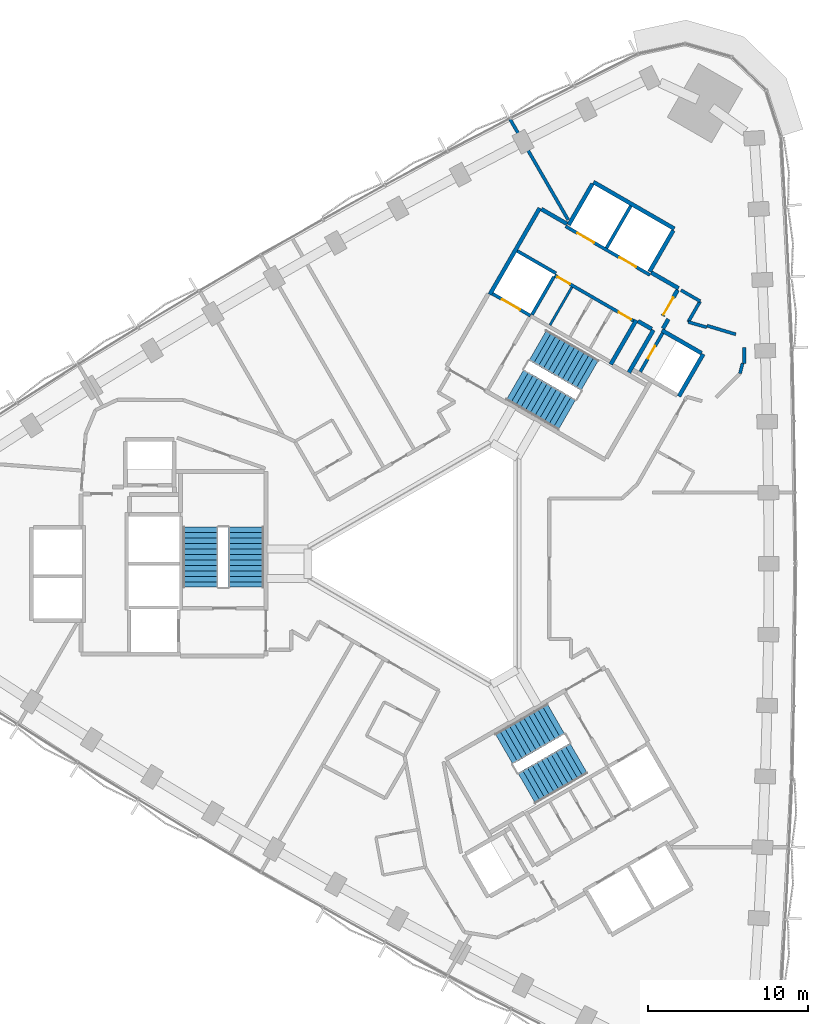
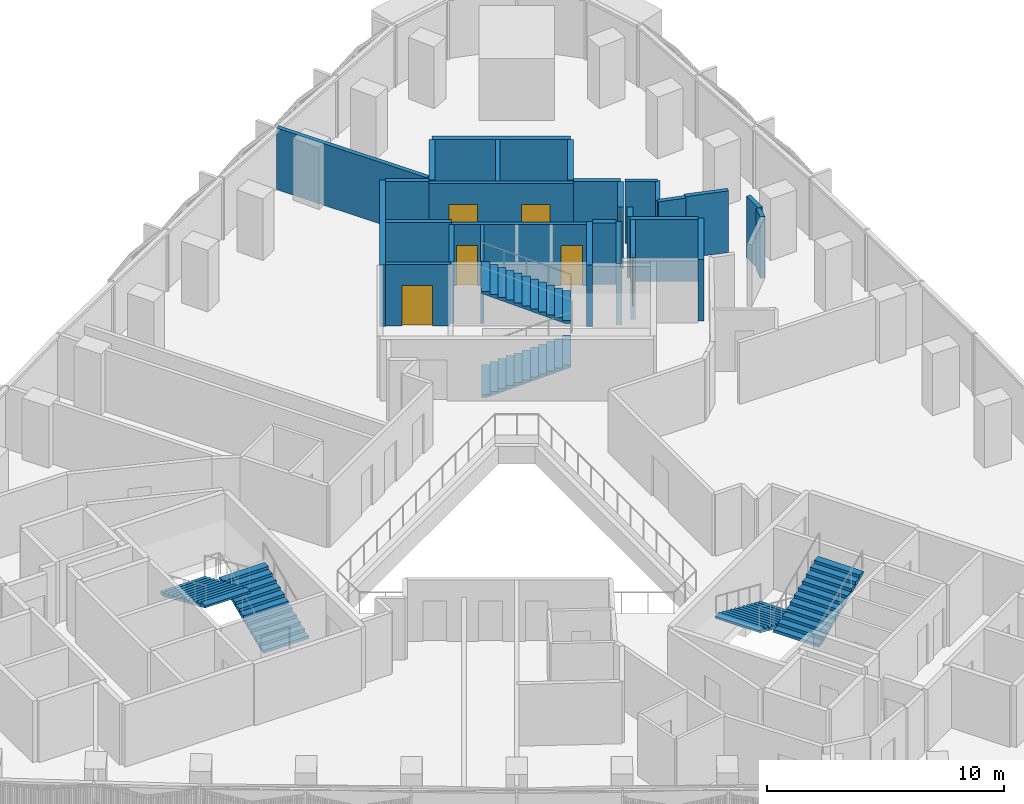
# One storey, part 11 of 15: 28 walls, 7 doors, 6 stair flights, 7 openings, 3 elements without a shape of their own.
"""IFC4 building model written with IfcOpenShell, lengths in metres."""

import ifcopenshell
import ifcopenshell.guid

model = None  # the IFC model being written
_history = None  # IfcOwnerHistory: only IFC2X3 demands one
_inside = {}  # id of a spatial element -> (the spatial element, [elements in it])
_under = {}  # id of a project, library or spatial element -> (it, [spatial elements below it])
_declared = {}  # id of a project -> (the project, [libraries it declares])
_typed = {}  # id of a type object -> (the type object, [elements of that type])
_made_of = {}  # id of a material, layer set ... -> (it, [elements and type objects made of it])


def new_model(schema):
    """Start an empty IFC model of exactly this schema.

    Asked for "IFC4X3", IfcOpenShell would pick the latest addendum, in which some entities
    have other attributes; the version numbers below select the first issue.
    IFC2X3 requires an IfcOwnerHistory on every rooted entity: one is made here for all.
    """
    global model, _history
    if schema == "IFC4X3":
        model = ifcopenshell.file(schema_version=(4, 3, 0, 0))
    else:
        model = ifcopenshell.file(schema=schema)
    _inside.clear()
    _under.clear()
    _declared.clear()
    _typed.clear()
    _made_of.clear()
    _history = None
    if model.schema == "IFC2X3":
        org = make("IfcOrganization", Name="unknown")
        user = make(
            "IfcPersonAndOrganization",
            ThePerson=make("IfcPerson", FamilyName="unknown"),
            TheOrganization=org,
        )
        app = make(
            "IfcApplication",
            ApplicationDeveloper=org,
            Version="unknown",
            ApplicationFullName="unknown",
            ApplicationIdentifier="unknown",
        )
        _history = make(
            "IfcOwnerHistory",
            OwningUser=user,
            OwningApplication=app,
            ChangeAction="ADDED",
            CreationDate=0,
        )
    return model


def make(cls, **values):
    """One entity of the class cls with the attributes given. An attribute that is None is left unset."""
    return model.create_entity(
        cls, **{name: value for name, value in values.items() if value is not None}
    )


def rooted(cls, **values):
    """An entity with a GlobalId (a new one), such as an element, a storey or a relation."""
    return make(cls, GlobalId=ifcopenshell.guid.new(), OwnerHistory=_history, **values)


def si_unit(unit_type, name, prefix=None):
    """IfcSIUnit, for example si_unit("LENGTHUNIT", "METRE", prefix="MILLI")."""
    return make("IfcSIUnit", UnitType=unit_type, Prefix=prefix, Name=name)


def assignment(units):
    """IfcUnitAssignment: the units of a project."""
    return None if units is None else make("IfcUnitAssignment", Units=units)


def point(xyz):
    """IfcCartesianPoint."""
    return None if xyz is None else make("IfcCartesianPoint", Coordinates=xyz)


def direction(xyz):
    """IfcDirection."""
    return None if xyz is None else make("IfcDirection", DirectionRatios=xyz)


def frame(location, z_axis=None, x_axis=None):
    """IfcAxis2Placement3D, a coordinate frame: its origin and axes. An axis left out is left unset."""
    return make(
        "IfcAxis2Placement3D",
        Location=point(location),
        Axis=direction(z_axis),
        RefDirection=direction(x_axis),
    )


def frame_2d(location, x_axis=None):
    """IfcAxis2Placement2D, a coordinate frame in the plane: its origin and x axis."""
    return make(
        "IfcAxis2Placement2D", Location=point(location), RefDirection=direction(x_axis)
    )


def origin():
    """The frame at (0, 0, 0) with its axes left unset."""
    return frame((0.0, 0.0, 0.0))


def place(relative_to, where):
    """IfcLocalPlacement: puts the frame where relative to a parent placement (None: the world)."""
    return make(
        "IfcLocalPlacement", PlacementRelTo=relative_to, RelativePlacement=where
    )


def context(
    kind, dimensions, precision=None, world=None, true_north=None, identifier=None
):
    """IfcGeometricRepresentationContext, for example the 3D "Model" context."""
    return make(
        "IfcGeometricRepresentationContext",
        ContextIdentifier=identifier,
        ContextType=kind,
        CoordinateSpaceDimension=dimensions,
        Precision=precision,
        WorldCoordinateSystem=world,
        TrueNorth=true_north,
    )


def subcontext(parent, identifier, kind, view, scale=None):
    """IfcGeometricRepresentationSubContext, for example "Body" below "Model"."""
    return make(
        "IfcGeometricRepresentationSubContext",
        ContextIdentifier=identifier,
        ContextType=kind,
        ParentContext=parent,
        TargetScale=scale,
        TargetView=view,
    )


def project(units=None, contexts=None):
    """IfcProject with its units and contexts."""
    return rooted(
        "IfcProject",
        Name="project",
        RepresentationContexts=contexts,
        UnitsInContext=assignment(units),
    )


def spatial(cls, under=None, at=None, **own):
    """A site, building, storey or space (cls), placed at a placement, below another one or the project."""
    s = rooted(cls, ObjectPlacement=at, **own)
    if under is not None:
        _under.setdefault(under.id(), (under, []))[1].append(s)
    return s


def polyline(points):
    """IfcPolyline through the points."""
    return make("IfcPolyline", Points=[point(p) for p in points])


def profile(cls, at=None, kind="AREA", **sizes):
    """A parametric profile (cls). Its sizes go by their IFC names, for example OverallWidth=200.0."""
    return make(cls, ProfileType=kind, Position=at, **sizes)


def rectangle(**sizes):
    """IfcRectangleProfileDef."""
    return profile("IfcRectangleProfileDef", **sizes)


def outline(outer, holes=None, kind="AREA"):
    """IfcArbitraryClosedProfileDef: a profile drawn as a closed curve; with holes, ...WithVoids."""
    if holes is None:
        return make("IfcArbitraryClosedProfileDef", ProfileType=kind, OuterCurve=outer)
    return make(
        "IfcArbitraryProfileDefWithVoids",
        ProfileType=kind,
        OuterCurve=outer,
        InnerCurves=holes,
    )


def extrude(swept, where, along, depth):
    """IfcExtrudedAreaSolid: the profile swept, set in the frame where, extruded along a direction by depth."""
    return make(
        "IfcExtrudedAreaSolid",
        SweptArea=swept,
        Position=where,
        ExtrudedDirection=direction(along),
        Depth=depth,
    )


def shape(context_of_items, identifier, shape_type, items):
    """IfcShapeRepresentation: the items that make up one representation, for example the "Body"."""
    return make(
        "IfcShapeRepresentation",
        ContextOfItems=context_of_items,
        RepresentationIdentifier=identifier,
        RepresentationType=shape_type,
        Items=items,
    )


def material(Name=None, Category=None):
    """IfcMaterial."""
    return make("IfcMaterial", Name=Name, Category=Category)


def layer(
    of_material, thickness, ventilated=None, Name=None, Category=None, Priority=None
):
    """IfcMaterialLayer: one layer of a wall or slab, of a material (None: an air gap)."""
    return make(
        "IfcMaterialLayer",
        Material=of_material,
        LayerThickness=thickness,
        IsVentilated=ventilated,
        Name=Name,
        Category=Category,
        Priority=Priority,
    )


def layer_set(layers, Name=None):
    """IfcMaterialLayerSet."""
    return make("IfcMaterialLayerSet", MaterialLayers=layers, LayerSetName=Name)


def made_of(thing, what):
    """Note that an element or type object is made of a material, layer set ...; save() writes the relation."""
    if what is not None:
        _made_of.setdefault(what.id(), (what, []))[1].append(thing)
    return thing


def type_object(cls, material=None, **own):
    """A type object (cls), such as IfcWallType, which elements share."""
    return made_of(rooted(cls, **own), material)


def element(
    cls,
    number,
    at=None,
    inside=None,
    cuts=None,
    type_object=None,
    material=None,
    context=None,
    identifier="Body",
    shape_type=None,
    held_by="IfcProductDefinitionShape",
    body=None,
    shapes=None,
    **own,
):
    """One element of the class cls, such as IfcWall. Its Tag is "e" and its number.

    at: its placement. inside: the storey or other place that contains it. cuts: it is an
    opening in that element (IfcRelVoidsElement). A single representation is given by context,
    identifier, shape_type and body (its items); several are given by shapes. held_by: the class
    of the entity that holds the representations. save() writes the other relations.
    """
    e = rooted(cls, Tag="e%d" % number, ObjectPlacement=at, **own)
    if body is not None:
        shapes = [shape(context, identifier, shape_type, body)]
    if shapes is not None:
        e.Representation = make(held_by, Representations=shapes)
    if inside is not None:
        _inside.setdefault(inside.id(), (inside, []))[1].append(e)
    if cuts is not None:
        rooted(
            "IfcRelVoidsElement", RelatingBuildingElement=cuts, RelatedOpeningElement=e
        )
    if type_object is not None:
        _typed.setdefault(type_object.id(), (type_object, []))[1].append(e)
    return made_of(e, material)


def fill(opening, filler):
    """IfcRelFillsElement: the door or window that sits in an opening."""
    return rooted(
        "IfcRelFillsElement",
        RelatingOpeningElement=opening,
        RelatedBuildingElement=filler,
    )


def aggregate(whole, parts):
    """IfcRelAggregates: a whole, such as a stair, and the parts it consists of."""
    return rooted("IfcRelAggregates", RelatingObject=whole, RelatedObjects=parts)


def save(model, path):
    """Write the relations noted so far, then the file.

    IfcRelAggregates (storeys below a building ...), IfcRelContainedInSpatialStructure (elements
    in a storey), IfcRelDefinesByType, IfcRelAssociatesMaterial and IfcRelDeclares: one each for
    every whole, place, type object, material and project.
    """
    for whole, parts in _under.values():
        aggregate(whole, parts)
    for where, things in _inside.values():
        rooted(
            "IfcRelContainedInSpatialStructure",
            RelatedElements=things,
            RelatingStructure=where,
        )
    for kind, things in _typed.values():
        rooted("IfcRelDefinesByType", RelatedObjects=things, RelatingType=kind)
    for what, things in _made_of.values():
        rooted("IfcRelAssociatesMaterial", RelatedObjects=things, RelatingMaterial=what)
    for by, libraries in _declared.values():
        rooted("IfcRelDeclares", RelatingContext=by, RelatedDefinitions=libraries)
    model.write(path)


model = new_model("IFC4")

# Units and contexts
model_context = context("Model", 3, precision=1e-05, world=origin(), true_north=direction((0.0, 1.0)))
body_context = subcontext(model_context, "Body", "Model", "MODEL_VIEW")
ifc_project = project(units=[si_unit("LENGTHUNIT", "METRE"), si_unit("AREAUNIT", "SQUARE_METRE"), si_unit("VOLUMEUNIT", "CUBIC_METRE"), si_unit("PLANEANGLEUNIT", "RADIAN"), si_unit("MASSUNIT", "GRAM", prefix="KILO")], contexts=[model_context])

# Site, building, storey
site_placement = place(None, origin())
site = spatial("IfcSite", under=ifc_project, at=site_placement, CompositionType="ELEMENT")
building_placement = place(site_placement, origin())
building = spatial("IfcBuilding", under=site, at=building_placement, Name="Tamra Quay Hotel Tower", CompositionType="ELEMENT")
storey_placement = place(building_placement, frame((0.0, 0.0, 86.60009765625)))
storey = spatial("IfcBuildingStorey", under=building, at=storey_placement, Name="L20", CompositionType="ELEMENT", Elevation=86.60009765625)

# Wall, openings, doors
ifc_material_1 = material(Name="Concrete M70", Category="concrete")
ifc_layer_1 = layer(ifc_material_1, 0.199951171875)
ifc_layer_set_1 = layer_set([ifc_layer_1], Name="Concrete M70 core wall 200")
wall_type_1 = type_object("IfcWallType", Name="Concrete M70 core wall 200", PredefinedType="SHEAR", material=ifc_layer_set_1)
wall_1_placement = place(storey_placement, frame((13.209716796875, 18.07958984375, 0.0), z_axis=(0.0, 0.0, 1.0), x_axis=(-0.866030299012, 0.499991521122, 0.0)))
wall_1 = element("IfcWall", 1, at=wall_1_placement, inside=storey, type_object=wall_type_1, Name="CW2", PredefinedType="SHEAR", context=body_context, shape_type="SweptSolid", body=[
    extrude(rectangle(XDim=6.10009765625, YDim=0.199951171875, at=frame_2d((3.050048828125, 0.0))), origin(), (0.0, 0.0, 1.0), 3.1748046875),
])
opening_1_placement = place(wall_1_placement, frame((1.0, 0.0, 0.0)))
opening_1 = element("IfcOpeningElement", 2, at=opening_1_placement, cuts=wall_1, Name="Opening LD", PredefinedType="OPENING", context=body_context, shape_type="SweptSolid", body=[
    extrude(rectangle(XDim=1.199951171875, YDim=2.10009765625, at=frame_2d((0.60009765625, 1.050048828125))), frame((0.0, 0.10986328125, 0.0), z_axis=(0.0, -1.0, 0.0), x_axis=(1.0, 0.0, 0.0)), (0.0, 0.0, 1.0), 0.219970703125),
])
opening_2_placement = place(wall_1_placement, frame((4.05029296875, 0.0, 0.0)))
opening_2 = element("IfcOpeningElement", 3, at=opening_2_placement, cuts=wall_1, Name="Opening LD", PredefinedType="OPENING", context=body_context, shape_type="SweptSolid", body=[
    extrude(rectangle(XDim=1.199951171875, YDim=2.10009765625, at=frame_2d((0.60009765625, 1.050048828125))), frame((0.0, 0.10986328125, 0.0), z_axis=(0.0, -1.0, 0.0), x_axis=(1.0, 0.0, 0.0)), (0.0, 0.0, 1.0), 0.219970703125),
])
ifc_material_2 = material(Name="Landing door LD 1200 double door sliding")
door_type_1 = type_object("IfcDoorType", Name="Landing door LD 1200 double door sliding", OperationType="DOUBLE_DOOR_SLIDING", PredefinedType="DOOR", material=ifc_material_2)
door_1_placement = place(opening_1_placement, origin())
door_1 = element("IfcDoor", 4, at=door_1_placement, inside=storey, type_object=door_type_1, Name="LD", OperationType="DOUBLE_DOOR_SLIDING", OverallHeight=2.10009765625, OverallWidth=1.199951171875, PredefinedType="DOOR", context=body_context, shape_type="SweptSolid", body=[
    extrude(rectangle(XDim=1.199951171875, YDim=2.10009765625, at=frame_2d((0.60009765625, 1.050048828125))), frame((0.0, 0.02490234375, 0.0), z_axis=(0.0, -1.0, 0.0), x_axis=(1.0, 0.0, 0.0)), (0.0, 0.0, 1.0), 0.050048828125),
])
fill(opening_1, door_1)
door_2_placement = place(opening_2_placement, origin())
door_2 = element("IfcDoor", 5, at=door_2_placement, inside=storey, type_object=door_type_1, Name="LD", OperationType="DOUBLE_DOOR_SLIDING", OverallHeight=2.10009765625, OverallWidth=1.199951171875, PredefinedType="DOOR", context=body_context, shape_type="SweptSolid", body=[
    extrude(rectangle(XDim=1.199951171875, YDim=2.10009765625, at=frame_2d((0.60009765625, 1.050048828125))), frame((0.0, 0.02490234375, 0.0), z_axis=(0.0, -1.0, 0.0), x_axis=(1.0, 0.0, 0.0)), (0.0, 0.0, 1.0), 0.050048828125),
])
fill(opening_2, door_2)

wall_2_placement = place(storey_placement, frame((12.18505859375, 15.20703125, 0.0), z_axis=(0.0, 0.0, 1.0), x_axis=(-0.866020080793, 0.500009219579, 0.0)))
wall_2 = element("IfcWall", 6, at=wall_2_placement, inside=storey, type_object=wall_type_1, Name="CW2", PredefinedType="SHEAR", context=body_context, shape_type="SweptSolid", body=[
    extrude(rectangle(XDim=5.69921875, YDim=0.199951171875, at=frame_2d((2.849609375, 0.0))), origin(), (0.0, 0.0, 1.0), 3.1748046875),
])
opening_3_placement = place(wall_2_placement, frame((0.174072265625, 0.0, 0.0)))
opening_3 = element("IfcOpeningElement", 7, at=opening_3_placement, cuts=wall_2, Name="Opening D2", PredefinedType="OPENING", context=body_context, shape_type="SweptSolid", body=[
    extrude(rectangle(XDim=0.89990234375, YDim=2.10009765625, at=frame_2d((0.449951171875, 1.050048828125))), frame((0.0, 0.10986328125, 0.0), z_axis=(0.0, -1.0, 0.0), x_axis=(1.0, 0.0, 0.0)), (0.0, 0.0, 1.0), 0.219970703125),
])
opening_4_placement = place(wall_2_placement, frame((4.59912109375, 0.0, 0.0)))
opening_4 = element("IfcOpeningElement", 8, at=opening_4_placement, cuts=wall_2, Name="Opening D2", PredefinedType="OPENING", context=body_context, shape_type="SweptSolid", body=[
    extrude(rectangle(XDim=0.89990234375, YDim=2.10009765625, at=frame_2d((0.449951171875, 1.050048828125))), frame((0.0, 0.10986328125, 0.0), z_axis=(0.0, -1.0, 0.0), x_axis=(1.0, 0.0, 0.0)), (0.0, 0.0, 1.0), 0.219970703125),
])
ifc_material_3 = material(Name="Core door D2 900x2100 LH")
door_type_2 = type_object("IfcDoorType", Name="Core door D2 900x2100 LH", OperationType="NOTDEFINED", PredefinedType="DOOR", material=ifc_material_3)
door_3_placement = place(opening_4_placement, origin())
door_3 = element("IfcDoor", 9, at=door_3_placement, inside=storey, type_object=door_type_2, Name="D2", OperationType="SINGLE_SWING_LEFT", OverallHeight=2.10009765625, OverallWidth=0.89990234375, PredefinedType="DOOR", context=body_context, shape_type="SweptSolid", body=[
    extrude(rectangle(XDim=0.89990234375, YDim=2.10009765625, at=frame_2d((0.449951171875, 1.050048828125))), frame((0.0, 0.02490234375, 0.0), z_axis=(0.0, -1.0, 0.0), x_axis=(1.0, 0.0, 0.0)), (0.0, 0.0, 1.0), 0.050048828125),
])
fill(opening_4, door_3)
ifc_material_4 = material(Name="Core door D2 900x2100 RH")
door_type_3 = type_object("IfcDoorType", Name="Core door D2 900x2100 RH", OperationType="NOTDEFINED", PredefinedType="DOOR", material=ifc_material_4)
door_4_placement = place(opening_3_placement, origin())
door_4 = element("IfcDoor", 10, at=door_4_placement, inside=storey, type_object=door_type_3, Name="D2", OperationType="SINGLE_SWING_RIGHT", OverallHeight=2.10009765625, OverallWidth=0.89990234375, PredefinedType="DOOR", context=body_context, shape_type="SweptSolid", body=[
    extrude(rectangle(XDim=0.89990234375, YDim=2.10009765625, at=frame_2d((0.449951171875, 1.050048828125))), frame((0.0, 0.02490234375, 0.0), z_axis=(0.0, -1.0, 0.0), x_axis=(1.0, 0.0, 0.0)), (0.0, 0.0, 1.0), 0.050048828125),
])
fill(opening_3, door_4)

# Wall
wall_3_placement = place(storey_placement, frame((10.48876953125, 19.76708984375, 0.0), z_axis=(0.0, 0.0, 1.0), x_axis=(0.499946628782, 0.866056215479, 0.0)))
element("IfcWall", 11, at=wall_3_placement, inside=storey, type_object=wall_type_1, Name="CW2", PredefinedType="SHEAR", context=body_context, shape_type="SweptSolid", body=[
    extrude(rectangle(XDim=3.048095703125, YDim=0.199951171875, at=frame_2d((1.52392578125, 0.0))), origin(), (0.0, 0.0, 1.0), 3.1748046875),
])

# Wall, opening, door
wall_4_placement = place(storey_placement, frame((14.0078125, 14.442138671875, 0.0), z_axis=(0.0, 0.0, 1.0), x_axis=(-0.499986818241, -0.866033014143, 0.0)))
wall_4 = element("IfcWall", 12, at=wall_4_placement, inside=storey, type_object=wall_type_1, Name="CW2", PredefinedType="SHEAR", context=body_context, shape_type="SweptSolid", body=[
    extrude(rectangle(XDim=2.7978515625, YDim=0.199951171875, at=frame_2d((1.39892578125, 0.0))), origin(), (0.0, 0.0, 1.0), 3.1748046875),
])
opening_5_placement = place(wall_4_placement, frame((0.948974609375, 0.0, 0.0)))
opening_5 = element("IfcOpeningElement", 13, at=opening_5_placement, cuts=wall_4, Name="Opening D1", PredefinedType="OPENING", context=body_context, shape_type="SweptSolid", body=[
    extrude(rectangle(XDim=0.89990234375, YDim=2.10009765625, at=frame_2d((0.449951171875, 1.050048828125))), frame((0.0, 0.10986328125, 0.0), z_axis=(0.0, -1.0, 0.0), x_axis=(1.0, 0.0, 0.0)), (0.0, 0.0, 1.0), 0.219970703125),
])
ifc_material_5 = material(Name="Core door D1 900x2100 RH")
door_type_4 = type_object("IfcDoorType", Name="Core door D1 900x2100 RH", OperationType="NOTDEFINED", PredefinedType="DOOR", material=ifc_material_5)
door_5_placement = place(opening_5_placement, origin())
door_5 = element("IfcDoor", 14, at=door_5_placement, inside=storey, type_object=door_type_4, Name="D1", OperationType="SINGLE_SWING_RIGHT", OverallHeight=2.10009765625, OverallWidth=0.89990234375, PredefinedType="DOOR", context=body_context, shape_type="SweptSolid", body=[
    extrude(rectangle(XDim=0.89990234375, YDim=2.10009765625, at=frame_2d((0.449951171875, 1.050048828125))), frame((0.0, 0.02490234375, 0.0), z_axis=(0.0, -1.0, 0.0), x_axis=(1.0, 0.0, 0.0)), (0.0, 0.0, 1.0), 0.050048828125),
])
fill(opening_5, door_5)

# Wall
wall_5_placement = place(storey_placement, frame((7.199462890625, 17.969970703125, 0.0), z_axis=(0.0, 0.0, 1.0), x_axis=(-0.499968400327, -0.866043647095, 0.0)))
element("IfcWall", 15, at=wall_5_placement, inside=storey, type_object=wall_type_1, Name="CW2", PredefinedType="SHEAR", context=body_context, shape_type="SweptSolid", body=[
    extrude(rectangle(XDim=2.749755859375, YDim=0.199951171875, at=frame_2d((1.375, 0.0))), origin(), (0.0, 0.0, 1.0), 3.1748046875),
])

# Wall, opening, door
wall_6_placement = place(storey_placement, frame((5.72509765625, 15.530517578125, 0.0), z_axis=(0.0, 0.0, 1.0), x_axis=(-0.866037306777, 0.499979382845, 0.0)))
wall_6 = element("IfcWall", 16, at=wall_6_placement, inside=storey, type_object=wall_type_1, Name="CW2", PredefinedType="SHEAR", context=body_context, shape_type="SweptSolid", body=[
    extrude(rectangle(XDim=2.74169921875, YDim=0.199951171875, at=frame_2d((1.370849609375, 0.0))), origin(), (0.0, 0.0, 1.0), 3.1748046875),
])
opening_6_placement = place(wall_6_placement, frame((0.742919921875, 0.0, 0.0)))
opening_6 = element("IfcOpeningElement", 17, at=opening_6_placement, cuts=wall_6, Name="Opening LD", PredefinedType="OPENING", context=body_context, shape_type="SweptSolid", body=[
    extrude(rectangle(XDim=1.300048828125, YDim=2.10009765625, at=frame_2d((0.64990234375, 1.050048828125))), frame((0.0, 0.10986328125, 0.0), z_axis=(0.0, -1.0, 0.0), x_axis=(1.0, 0.0, 0.0)), (0.0, 0.0, 1.0), 0.219970703125),
])
ifc_material_6 = material(Name="Landing door LD 1300 sliding to left")
door_type_5 = type_object("IfcDoorType", Name="Landing door LD 1300 sliding to left", OperationType="NOTDEFINED", PredefinedType="DOOR", material=ifc_material_6)
door_6_placement = place(opening_6_placement, origin())
door_6 = element("IfcDoor", 18, at=door_6_placement, inside=storey, type_object=door_type_5, Name="LD", OperationType="SLIDING_TO_LEFT", OverallHeight=2.10009765625, OverallWidth=1.300048828125, PredefinedType="DOOR", context=body_context, shape_type="SweptSolid", body=[
    extrude(rectangle(XDim=1.300048828125, YDim=2.10009765625, at=frame_2d((0.64990234375, 1.050048828125))), frame((0.0, 0.02490234375, 0.0), z_axis=(0.0, -1.0, 0.0), x_axis=(1.0, 0.0, 0.0)), (0.0, 0.0, 1.0), 0.050048828125),
])
fill(opening_6, door_6)

# Walls
wall_7_placement = place(storey_placement, frame((4.900634765625, 19.5859375, 0.0), z_axis=(0.0, 0.0, 1.0), x_axis=(0.866022890907, -0.500004352405, 0.0)))
element("IfcWall", 19, at=wall_7_placement, inside=storey, type_object=wall_type_1, Name="CW2", PredefinedType="SHEAR", context=body_context, shape_type="SweptSolid", body=[
    extrude(rectangle(XDim=2.798828125, YDim=0.199951171875, at=frame_2d((1.3994140625, 0.0))), origin(), (0.0, 0.0, 1.0), 3.1748046875),
])
ifc_layer_2 = layer(ifc_material_1, 0.25)
ifc_layer_set_2 = layer_set([ifc_layer_2], Name="Concrete M70 core wall 250")
wall_type_2 = type_object("IfcWallType", Name="Concrete M70 core wall 250", PredefinedType="SHEAR", material=ifc_layer_set_2)
wall_8_placement = place(storey_placement, frame((3.178955078125, 16.856201171875, 0.0), z_axis=(0.0, 0.0, 1.0), x_axis=(0.500004234368, 0.866022959057, 0.0)))
element("IfcWall", 20, at=wall_8_placement, inside=storey, type_object=wall_type_2, Name="CW1", PredefinedType="SHEAR", context=body_context, shape_type="SweptSolid", body=[
    extrude(rectangle(XDim=6.25, YDim=0.25, at=frame_2d((3.125, 0.0))), origin(), (0.0, 0.0, 1.0), 3.1748046875),
])
wall_9_placement = place(storey_placement, frame((9.672607421875, 23.9033203125, 0.0), z_axis=(0.0, 0.0, 1.0), x_axis=(0.86603616409, -0.499981362141, 0.0)))
element("IfcWall", 21, at=wall_9_placement, inside=storey, type_object=wall_type_2, Name="CW1", PredefinedType="SHEAR", context=body_context, shape_type="SweptSolid", body=[
    extrude(rectangle(XDim=5.849853515625, YDim=0.25, at=frame_2d((2.9248046875, 0.0))), origin(), (0.0, 0.0, 1.0), 3.1748046875),
])
wall_10_placement = place(storey_placement, frame((12.356689453125, 15.25244140625, 0.0), z_axis=(0.0, 0.0, 1.0), x_axis=(-0.500028443584, -0.866008981251, 0.0)))
element("IfcWall", 22, at=wall_10_placement, inside=storey, type_object=wall_type_2, Name="CW1", PredefinedType="SHEAR", context=body_context, shape_type="SweptSolid", body=[
    extrude(rectangle(XDim=3.199951171875, YDim=0.25, at=frame_2d((1.60009765625, 0.0))), origin(), (0.0, 0.0, 1.0), 3.1748046875),
])
for number, where, z_axis, x_axis, name in (
    (23, (8.12255859375, 21.21875, 0.0), (0.0, 0.0, 1.0), (0.499987686533, 0.866032512851, 0.0), "CW1"),
    (24, (14.67626953125, 20.869873046875, 0.0), (0.0, 0.0, 1.0), (-0.499987686533, -0.866032512851, 0.0), "CW1"),
):
    element("IfcWall", number, at=place(storey_placement, frame(where, z_axis=z_axis, x_axis=x_axis)), inside=storey, type_object=wall_type_2, Name=name, PredefinedType="SHEAR", context=body_context, shape_type="SweptSolid", body=[
        extrude(rectangle(XDim=2.974609375, YDim=0.25, at=frame_2d((1.4873046875, 0.0))), origin(), (0.0, 0.0, 1.0), 3.1748046875),
    ])
wall_11_placement = place(storey_placement, frame((16.552001953125, 13.118896484375, 0.0), z_axis=(0.0, 0.0, 1.0), x_axis=(-0.499978833458, -0.866037623948, 0.0)))
element("IfcWall", 25, at=wall_11_placement, inside=storey, type_object=wall_type_2, Name="CW1", PredefinedType="SHEAR", context=body_context, shape_type="SweptSolid", body=[
    extrude(rectangle(XDim=3.050048828125, YDim=0.25, at=frame_2d((1.52490234375, 0.0))), origin(), (0.0, 0.0, 1.0), 3.1748046875),
])
wall_12_placement = place(storey_placement, frame((13.962646484375, 14.61376953125, 0.0), z_axis=(0.0, 0.0, 1.0), x_axis=(0.866042235819, -0.499970844928, 0.0)))
element("IfcWall", 26, at=wall_12_placement, inside=storey, type_object=wall_type_2, Name="CW1", PredefinedType="SHEAR", context=body_context, shape_type="SweptSolid", body=[
    extrude(rectangle(XDim=2.864501953125, YDim=0.25, at=frame_2d((1.43212890625, 0.0))), origin(), (0.0, 0.0, 1.0), 3.1748046875),
])
wall_13_placement = place(storey_placement, frame((11.887939453125, 11.960693359375, 0.0), z_axis=(0.0, 0.0, 1.0), x_axis=(0.500003324108, 0.866023484601, 0.0)))
element("IfcWall", 27, at=wall_13_placement, inside=storey, type_object=wall_type_2, Name="CW1", PredefinedType="SHEAR", context=body_context, shape_type="SweptSolid", body=[
    extrude(rectangle(XDim=3.0849609375, YDim=0.25, at=frame_2d((1.54248046875, 0.0))), origin(), (0.0, 0.0, 1.0), 3.1748046875),
])
wall_14_placement = place(storey_placement, frame((13.29736328125, 18.23095703125, 0.0), z_axis=(0.0, 0.0, 1.0), x_axis=(0.866043531843, -0.499968599967, 0.0)))
element("IfcWall", 28, at=wall_14_placement, inside=storey, type_object=wall_type_2, Name="CW1", PredefinedType="SHEAR", context=body_context, shape_type="SweptSolid", body=[
    extrude(rectangle(XDim=1.974853515625, YDim=0.25, at=frame_2d((0.9873046875, 0.0))), origin(), (0.0, 0.0, 1.0), 3.1748046875),
])
wall_15_placement = place(storey_placement, frame((6.41259765625, 22.2060546875, 0.0), z_axis=(0.0, 0.0, 1.0), x_axis=(0.866016279763, -0.500015802937, 0.0)))
element("IfcWall", 29, at=wall_15_placement, inside=storey, type_object=wall_type_2, Name="CW1", PredefinedType="SHEAR", context=body_context, shape_type="SweptSolid", body=[
    extrude(rectangle(XDim=1.84912109375, YDim=0.25, at=frame_2d((0.924560546875, 0.0))), origin(), (0.0, 0.0, 1.0), 3.1748046875),
])

# Wall, opening, door
wall_16_placement = place(storey_placement, frame((14.94482421875, 17.13525390625, 0.0), z_axis=(0.0, 0.0, 1.0), x_axis=(-0.499983108224, -0.866035156036, 0.0)))
wall_16 = element("IfcWall", 30, at=wall_16_placement, inside=storey, type_object=wall_type_2, Name="CW1", PredefinedType="SHEAR", context=body_context, shape_type="SweptSolid", body=[
    extrude(rectangle(XDim=1.86474609375, YDim=0.25, at=frame_2d((0.932373046875, 0.0))), origin(), (0.0, 0.0, 1.0), 3.1748046875),
])
opening_7_placement = place(wall_16_placement, frame((0.53466796875, 0.0, 0.0)))
opening_7 = element("IfcOpeningElement", 31, at=opening_7_placement, cuts=wall_16, Name="Opening FD3", PredefinedType="OPENING", context=body_context, shape_type="SweptSolid", body=[
    extrude(rectangle(XDim=1.25, YDim=2.10009765625, at=frame_2d((0.625, 1.050048828125))), frame((0.0, 0.135009765625, 0.0), z_axis=(0.0, -1.0, 0.0), x_axis=(1.0, 0.0, 0.0)), (0.0, 0.0, 1.0), 0.27001953125),
])
ifc_material_7 = material(Name="Core door FD3 1250x2100 LH")
door_type_6 = type_object("IfcDoorType", Name="Core door FD3 1250x2100 LH", OperationType="NOTDEFINED", PredefinedType="DOOR", material=ifc_material_7)
door_7_placement = place(opening_7_placement, origin())
door_7 = element("IfcDoor", 32, at=door_7_placement, inside=storey, type_object=door_type_6, Name="FD3", OperationType="SINGLE_SWING_LEFT", OverallHeight=2.10009765625, OverallWidth=1.25, PredefinedType="DOOR", context=body_context, shape_type="SweptSolid", body=[
    extrude(rectangle(XDim=1.25, YDim=2.10009765625, at=frame_2d((0.625, 1.050048828125))), frame((0.0, 0.02490234375, 0.0), z_axis=(0.0, -1.0, 0.0), x_axis=(1.0, 0.0, 0.0)), (0.0, 0.0, 1.0), 0.050048828125),
])
fill(opening_7, door_7)

# Walls
wall_17_placement = place(storey_placement, frame((13.322021484375, 14.695068359375, 0.0), z_axis=(0.0, 0.0, 1.0), x_axis=(-0.866017078145, 0.500014420154, 0.0)))
element("IfcWall", 33, at=wall_17_placement, inside=storey, type_object=wall_type_2, Name="CW1", PredefinedType="SHEAR", context=body_context, shape_type="SweptSolid", body=[
    extrude(rectangle(XDim=0.9892578125, YDim=0.25, at=frame_2d((0.49462890625, 0.0))), origin(), (0.0, 0.0, 1.0), 3.1748046875),
])
wall_18_placement = place(storey_placement, frame((14.36767578125, 15.3154296875, 0.0), z_axis=(0.0, 0.0, 1.0), x_axis=(-0.499897359611, -0.866084655132, 0.0)))
element("IfcWall", 34, at=wall_18_placement, inside=storey, type_object=wall_type_2, Name="CW1", PredefinedType="SHEAR", context=body_context, shape_type="SweptSolid", body=[
    extrude(rectangle(XDim=0.684814453125, YDim=0.25, at=frame_2d((0.34228515625, 0.0))), origin(), (0.0, 0.0, 1.0), 3.1748046875),
])
ifc_material_8 = material(Name="Blockwork", Category="masonry")
ifc_layer_3 = layer(ifc_material_8, 0.14990234375)
ifc_layer_set_3 = layer_set([ifc_layer_3], Name="Core partition block 150")
wall_type_3 = type_object("IfcWallType", Name="Core partition block 150", PredefinedType="PARTITIONING", material=ifc_layer_set_3)
wall_19_placement = place(storey_placement, frame((6.95068359375, 14.939208984375, 0.0), z_axis=(0.0, 0.0, 1.0), x_axis=(0.50002746344, 0.86600954718, 0.0)))
element("IfcWall", 35, at=wall_19_placement, inside=storey, type_object=wall_type_3, Name="CP1", PredefinedType="PARTITIONING", context=body_context, shape_type="SweptSolid", body=[
    extrude(rectangle(XDim=2.748291015625, YDim=0.14990234375, at=frame_2d((1.3740234375, 0.0))), origin(), (0.0, 0.0, 1.0), 3.1748046875),
])
ifc_material_9 = material(Name="Partition corridor wall")
ifc_layer_4 = layer(ifc_material_9, 0.199951171875)
ifc_layer_set_4 = layer_set([ifc_layer_4], Name="Partition corridor wall")
wall_type_4 = type_object("IfcWallType", Name="Partition corridor wall", PredefinedType="PARTITIONING", material=ifc_layer_set_4)
wall_20_placement = place(storey_placement, frame((15.155517578125, 17.130126953125, 0.0), z_axis=(0.0, 0.0, 1.0), x_axis=(0.865755062894, -0.500467952093, 0.0)))
element("IfcWall", 36, at=wall_20_placement, inside=storey, type_object=wall_type_4, Name="W-C", PredefinedType="PARTITIONING", context=body_context, shape_type="SweptSolid", body=[
    extrude(rectangle(XDim=1.388916015625, YDim=0.199951171875, at=frame_2d((0.6943359375, 0.0))), origin(), (0.0, 0.0, 1.0), 3.1748046875),
])
wall_21_placement = place(storey_placement, frame((15.60888671875, 15.135986328125, 0.0), z_axis=(0.0, 0.0, 1.0), x_axis=(0.499501622561, 0.866312950993, 0.0)))
element("IfcWall", 37, at=wall_21_placement, inside=storey, type_object=wall_type_4, Name="W-C", PredefinedType="PARTITIONING", context=body_context, shape_type="SweptSolid", body=[
    extrude(rectangle(XDim=1.49951171875, YDim=0.199951171875, at=frame_2d((0.749755859375, 0.0))), origin(), (0.0, 0.0, 1.0), 3.1748046875),
])
wall_22_placement = place(storey_placement, frame((15.60888671875, 15.135986328125, 0.0), z_axis=(0.0, 0.0, 1.0), x_axis=(0.961662011825, -0.274237442763, 0.0)))
element("IfcWall", 38, at=wall_22_placement, inside=storey, type_object=wall_type_4, Name="W-C", PredefinedType="PARTITIONING", context=body_context, shape_type="SweptSolid", body=[
    extrude(rectangle(XDim=1.199951171875, YDim=0.199951171875, at=frame_2d((0.60009765625, 0.0))), origin(), (0.0, 0.0, 1.0), 3.1748046875),
])
wall_23_placement = place(storey_placement, frame((16.79052734375, 14.903076171875, 0.0), z_axis=(0.0, 0.0, 1.0), x_axis=(0.957543978079, -0.288287235312, 0.0)))
element("IfcWall", 39, at=wall_23_placement, inside=storey, type_object=wall_type_4, Name="W-C", PredefinedType="PARTITIONING", context=body_context, shape_type="SweptSolid", body=[
    extrude(rectangle(XDim=1.883544921875, YDim=0.199951171875, at=frame_2d((0.94189453125, 0.0))), origin(), (0.0, 0.0, 1.0), 3.1748046875),
])
wall_24_placement = place(storey_placement, frame((19.114990234375, 12.5439453125, 0.0), z_axis=(0.0, 0.0, 1.0), x_axis=(0.0, 1.0, 0.0)))
element("IfcWall", 40, at=wall_24_placement, inside=storey, type_object=wall_type_4, Name="W-C", PredefinedType="PARTITIONING", context=body_context, shape_type="SweptSolid", body=[
    extrude(rectangle(XDim=1.0, YDim=0.199951171875, at=frame_2d((0.5, 0.0))), origin(), (0.0, 0.0, 1.0), 3.1748046875),
])
wall_25_placement = place(storey_placement, frame((18.85205078125, 11.906982421875, 0.0), z_axis=(0.0, 0.0, 1.0), x_axis=(0.247687348035, 0.968840016527, 0.0)))
element("IfcWall", 41, at=wall_25_placement, inside=storey, type_object=wall_type_4, Name="W-C", PredefinedType="PARTITIONING", context=body_context, shape_type="SweptSolid", body=[
    extrude(rectangle(XDim=0.657470703125, YDim=0.199951171875, at=frame_2d((0.32861328125, 0.0))), origin(), (0.0, 0.0, 1.0), 3.1748046875),
])
ifc_material_10 = material(Name="Partition party wall")
ifc_layer_5 = layer(ifc_material_10, 0.199951171875)
ifc_layer_set_5 = layer_set([ifc_layer_5], Name="Partition party wall")
wall_type_5 = type_object("IfcWallType", Name="Partition party wall", PredefinedType="PARTITIONING", material=ifc_layer_set_5)
wall_26_placement = place(storey_placement, frame((4.43017578125, 27.87255859375, 0.0), z_axis=(0.0, 0.0, 1.0), x_axis=(0.499959183527, -0.866048967903, 0.0)))
element("IfcWall", 42, at=wall_26_placement, inside=storey, type_object=wall_type_5, Name="W-P", PredefinedType="PARTITIONING", context=body_context, shape_type="SweptSolid", body=[
    extrude(rectangle(XDim=7.3203125, YDim=0.199951171875, at=frame_2d((3.66015625, 0.0))), origin(), (0.0, 0.0, 1.0), 3.1748046875),
])

# Stair, stair flights
ifc_material_11 = material(Name="Exit stair 2200 24 risers 150.0 going 342")
stair_type = type_object("IfcStairType", Name="Exit stair 2200 24 risers 150.0 going 342", PredefinedType="HALF_TURN_STAIR", material=ifc_material_11)
stair_1_placement = place(storey_placement, origin())
stair_1 = element("IfcStair", 43, at=stair_1_placement, inside=storey, type_object=stair_type, Name="L20 Exit stair ST3", PredefinedType="HALF_TURN_STAIR")
ifc_material_12 = material(Name="Exit stair flight 2200 12 risers 150.0")
stair_flight_type = type_object("IfcStairFlightType", Name="Exit stair flight 2200 12 risers 150.0", PredefinedType="STRAIGHT", material=ifc_material_12)
stair_flight_1_placement = place(storey_placement, frame((-12.082275390625, -1.47998046875, 0.0), z_axis=(0.0, 0.0, 1.0), x_axis=(0.0, 1.0, 0.0)))
stair_flight_1 = element("IfcStairFlight", 44, at=stair_flight_1_placement, type_object=stair_flight_type, Name="ST3 flight 1", NumberOfRisers=12, NumberOfTreads=11, PredefinedType="STRAIGHT", RiserHeight=0.15, TreadLength=0.342, context=body_context, shape_type="SweptSolid", body=[
    extrude(outline(polyline([(0.0, 0.0), (0.0, 0.14990234375), (0.342041015625, 0.14990234375), (0.342041015625, 0.300048828125), (0.68408203125, 0.300048828125), (0.68408203125, 0.449951171875), (1.02587890625, 0.449951171875), (1.02587890625, 0.60009765625), (1.367919921875, 0.60009765625), (1.367919921875, 0.75), (1.7099609375, 0.75), (1.7099609375, 0.89990234375), (2.052001953125, 0.89990234375), (2.052001953125, 1.050048828125), (2.39404296875, 1.050048828125), (2.39404296875, 1.199951171875), (2.736083984375, 1.199951171875), (2.736083984375, 1.35009765625), (3.077880859375, 1.35009765625), (3.077880859375, 1.5), (3.419921875, 1.5), (3.419921875, 1.64990234375), (3.761962890625, 1.64990234375), (3.761962890625, 1.800048828125), (3.761962890625, 1.540771484375), (0.249267578125, 0.0), (0.0, 0.0)])), frame((0.0, 1.10009765625, 0.0), z_axis=(0.0, -1.0, 0.0), x_axis=(1.0, 0.0, 0.0)), (0.0, 0.0, 1.0), 2.199951171875),
])
stair_flight_2_placement = place(storey_placement, frame((-14.94140625, 2.281982421875, 1.7998046875), z_axis=(0.0, 0.0, 1.0), x_axis=(0.0, -1.0, 0.0)))
stair_flight_2 = element("IfcStairFlight", 45, at=stair_flight_2_placement, type_object=stair_flight_type, Name="ST3 flight 2", NumberOfRisers=12, NumberOfTreads=11, PredefinedType="STRAIGHT", RiserHeight=0.15, TreadLength=0.342, context=body_context, shape_type="SweptSolid", body=[
    extrude(outline(polyline([(0.0, 0.0), (0.0, 0.14990234375), (0.342041015625, 0.14990234375), (0.342041015625, 0.300048828125), (0.68408203125, 0.300048828125), (0.68408203125, 0.449951171875), (1.02587890625, 0.449951171875), (1.02587890625, 0.60009765625), (1.367919921875, 0.60009765625), (1.367919921875, 0.75), (1.7099609375, 0.75), (1.7099609375, 0.89990234375), (2.052001953125, 0.89990234375), (2.052001953125, 1.050048828125), (2.39404296875, 1.050048828125), (2.39404296875, 1.199951171875), (2.736083984375, 1.199951171875), (2.736083984375, 1.35009765625), (3.077880859375, 1.35009765625), (3.077880859375, 1.5), (3.419921875, 1.5), (3.419921875, 1.64990234375), (3.761962890625, 1.64990234375), (3.761962890625, 1.800048828125), (3.761962890625, 1.540771484375), (0.249267578125, 0.0), (0.0, 0.0)])), frame((0.0, 1.10009765625, 0.0), z_axis=(0.0, -1.0, 0.0), x_axis=(1.0, 0.0, 0.0)), (0.0, 0.0, 1.0), 2.199951171875),
])
aggregate(stair_1, [stair_flight_1, stair_flight_2])

stair_2_placement = place(storey_placement, origin())
stair_2 = element("IfcStair", 46, at=stair_2_placement, inside=storey, type_object=stair_type, Name="L20 Exit stair ST1", PredefinedType="HALF_TURN_STAIR")
stair_flight_3_placement = place(storey_placement, frame((4.75927734375, 11.20361328125, 0.0), z_axis=(0.0, 0.0, 1.0), x_axis=(0.866025403784, -0.5, 0.0)))
stair_flight_3 = element("IfcStairFlight", 47, at=stair_flight_3_placement, type_object=stair_flight_type, Name="ST1 flight 1", NumberOfRisers=12, NumberOfTreads=11, PredefinedType="STRAIGHT", RiserHeight=0.15, TreadLength=0.342, context=body_context, shape_type="SweptSolid", body=[
    extrude(outline(polyline([(0.0, 0.0), (0.0, 0.14990234375), (0.342041015625, 0.14990234375), (0.342041015625, 0.300048828125), (0.68408203125, 0.300048828125), (0.68408203125, 0.449951171875), (1.02587890625, 0.449951171875), (1.02587890625, 0.60009765625), (1.367919921875, 0.60009765625), (1.367919921875, 0.75), (1.7099609375, 0.75), (1.7099609375, 0.89990234375), (2.052001953125, 0.89990234375), (2.052001953125, 1.050048828125), (2.39404296875, 1.050048828125), (2.39404296875, 1.199951171875), (2.736083984375, 1.199951171875), (2.736083984375, 1.35009765625), (3.077880859375, 1.35009765625), (3.077880859375, 1.5), (3.419921875, 1.5), (3.419921875, 1.64990234375), (3.761962890625, 1.64990234375), (3.761962890625, 1.800048828125), (3.761962890625, 1.540771484375), (0.249267578125, 0.0), (0.0, 0.0)])), frame((0.0, 1.10009765625, 0.0), z_axis=(0.0, -1.0, 0.0), x_axis=(1.0, 0.0, 0.0)), (0.0, 0.0, 1.0), 2.199951171875),
])
stair_flight_4_placement = place(storey_placement, frame((9.44677734375, 11.798583984375, 1.7998046875), z_axis=(0.0, 0.0, 1.0), x_axis=(-0.866025403784, 0.5, 0.0)))
stair_flight_4 = element("IfcStairFlight", 48, at=stair_flight_4_placement, type_object=stair_flight_type, Name="ST1 flight 2", NumberOfRisers=12, NumberOfTreads=11, PredefinedType="STRAIGHT", RiserHeight=0.15, TreadLength=0.342, context=body_context, shape_type="SweptSolid", body=[
    extrude(outline(polyline([(0.0, 0.0), (0.0, 0.14990234375), (0.342041015625, 0.14990234375), (0.342041015625, 0.300048828125), (0.68408203125, 0.300048828125), (0.68408203125, 0.449951171875), (1.02587890625, 0.449951171875), (1.02587890625, 0.60009765625), (1.367919921875, 0.60009765625), (1.367919921875, 0.75), (1.7099609375, 0.75), (1.7099609375, 0.89990234375), (2.052001953125, 0.89990234375), (2.052001953125, 1.050048828125), (2.39404296875, 1.050048828125), (2.39404296875, 1.199951171875), (2.736083984375, 1.199951171875), (2.736083984375, 1.35009765625), (3.077880859375, 1.35009765625), (3.077880859375, 1.5), (3.419921875, 1.5), (3.419921875, 1.64990234375), (3.761962890625, 1.64990234375), (3.761962890625, 1.800048828125), (3.761962890625, 1.540771484375), (0.249267578125, 0.0), (0.0, 0.0)])), frame((0.0, 1.10009765625, 0.0), z_axis=(0.0, -1.0, 0.0), x_axis=(1.0, 0.0, 0.0)), (0.0, 0.0, 1.0), 2.199951171875),
])
aggregate(stair_2, [stair_flight_3, stair_flight_4])

stair_3_placement = place(storey_placement, origin())
stair_3 = element("IfcStair", 49, at=stair_3_placement, inside=storey, type_object=stair_type, Name="L20 Exit stair ST2", PredefinedType="HALF_TURN_STAIR")
stair_flight_5_placement = place(storey_placement, frame((7.322998046875, -9.7236328125, 0.0), z_axis=(0.0, 0.0, 1.0), x_axis=(-0.866025403784, -0.5, 0.0)))
stair_flight_5 = element("IfcStairFlight", 50, at=stair_flight_5_placement, type_object=stair_flight_type, Name="ST2 flight 1", NumberOfRisers=12, NumberOfTreads=11, PredefinedType="STRAIGHT", RiserHeight=0.15, TreadLength=0.342, context=body_context, shape_type="SweptSolid", body=[
    extrude(outline(polyline([(0.0, 0.0), (0.0, 0.14990234375), (0.342041015625, 0.14990234375), (0.342041015625, 0.300048828125), (0.68408203125, 0.300048828125), (0.68408203125, 0.449951171875), (1.02587890625, 0.449951171875), (1.02587890625, 0.60009765625), (1.367919921875, 0.60009765625), (1.367919921875, 0.75), (1.7099609375, 0.75), (1.7099609375, 0.89990234375), (2.052001953125, 0.89990234375), (2.052001953125, 1.050048828125), (2.39404296875, 1.050048828125), (2.39404296875, 1.199951171875), (2.736083984375, 1.199951171875), (2.736083984375, 1.35009765625), (3.077880859375, 1.35009765625), (3.077880859375, 1.5), (3.419921875, 1.5), (3.419921875, 1.64990234375), (3.761962890625, 1.64990234375), (3.761962890625, 1.800048828125), (3.761962890625, 1.540771484375), (0.249267578125, 0.0), (0.0, 0.0)])), frame((0.0, 1.10009765625, 0.0), z_axis=(0.0, -1.0, 0.0), x_axis=(1.0, 0.0, 0.0)), (0.0, 0.0, 1.0), 2.199951171875),
])
stair_flight_6_placement = place(storey_placement, frame((5.494384765625, -14.08056640625, 1.7998046875), z_axis=(0.0, 0.0, 1.0), x_axis=(0.866025403784, 0.5, 0.0)))
stair_flight_6 = element("IfcStairFlight", 51, at=stair_flight_6_placement, type_object=stair_flight_type, Name="ST2 flight 2", NumberOfRisers=12, NumberOfTreads=11, PredefinedType="STRAIGHT", RiserHeight=0.15, TreadLength=0.342, context=body_context, shape_type="SweptSolid", body=[
    extrude(outline(polyline([(0.0, 0.0), (0.0, 0.14990234375), (0.342041015625, 0.14990234375), (0.342041015625, 0.300048828125), (0.68408203125, 0.300048828125), (0.68408203125, 0.449951171875), (1.02587890625, 0.449951171875), (1.02587890625, 0.60009765625), (1.367919921875, 0.60009765625), (1.367919921875, 0.75), (1.7099609375, 0.75), (1.7099609375, 0.89990234375), (2.052001953125, 0.89990234375), (2.052001953125, 1.050048828125), (2.39404296875, 1.050048828125), (2.39404296875, 1.199951171875), (2.736083984375, 1.199951171875), (2.736083984375, 1.35009765625), (3.077880859375, 1.35009765625), (3.077880859375, 1.5), (3.419921875, 1.5), (3.419921875, 1.64990234375), (3.761962890625, 1.64990234375), (3.761962890625, 1.800048828125), (3.761962890625, 1.540771484375), (0.249267578125, 0.0), (0.0, 0.0)])), frame((0.0, 1.10009765625, 0.0), z_axis=(0.0, -1.0, 0.0), x_axis=(1.0, 0.0, 0.0)), (0.0, 0.0, 1.0), 2.199951171875),
])
aggregate(stair_3, [stair_flight_5, stair_flight_6])

save(model, "model.ifc")
